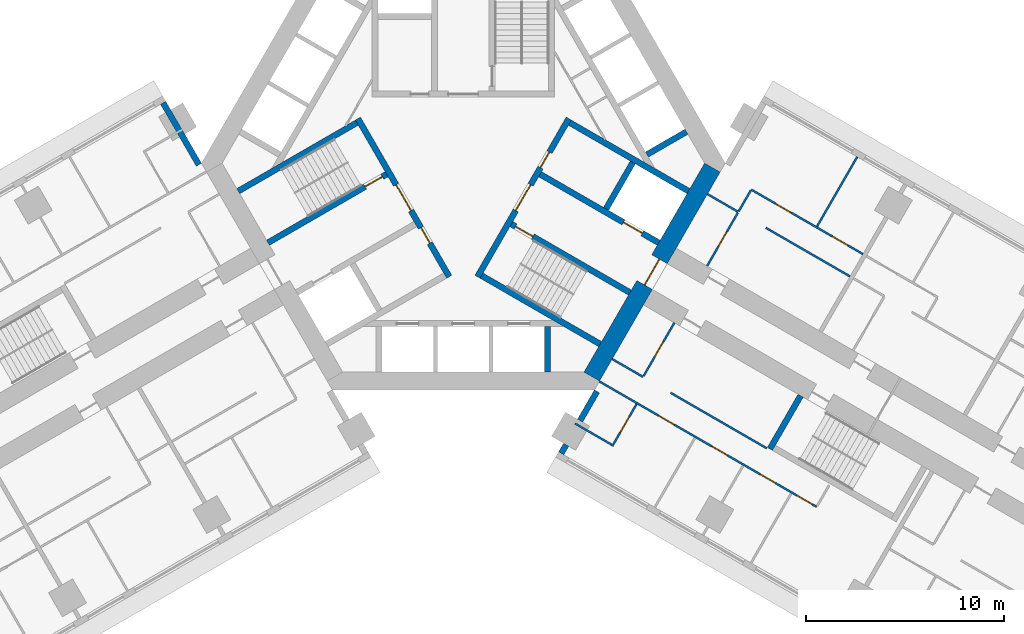
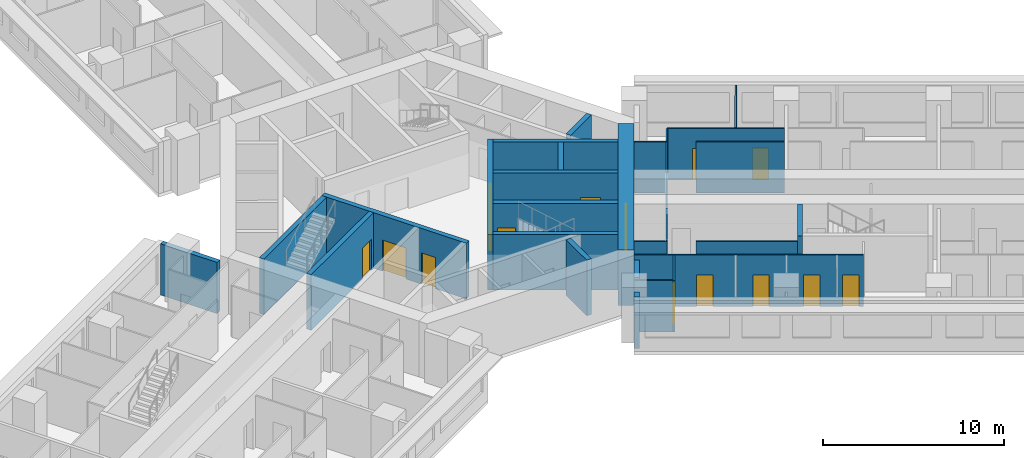
# One storey, part 6 of 14: 28 walls, 17 doors, 17 openings.
"""IFC4 building model written with IfcOpenShell, lengths in metres."""

import ifcopenshell
import ifcopenshell.guid

model = None  # the IFC model being written
_history = None  # IfcOwnerHistory: only IFC2X3 demands one
_inside = {}  # id of a spatial element -> (the spatial element, [elements in it])
_under = {}  # id of a project, library or spatial element -> (it, [spatial elements below it])
_declared = {}  # id of a project -> (the project, [libraries it declares])
_typed = {}  # id of a type object -> (the type object, [elements of that type])
_made_of = {}  # id of a material, layer set ... -> (it, [elements and type objects made of it])


def new_model(schema):
    """Start an empty IFC model of exactly this schema.

    Asked for "IFC4X3", IfcOpenShell would pick the latest addendum, in which some entities
    have other attributes; the version numbers below select the first issue.
    IFC2X3 requires an IfcOwnerHistory on every rooted entity: one is made here for all.
    """
    global model, _history
    if schema == "IFC4X3":
        model = ifcopenshell.file(schema_version=(4, 3, 0, 0))
    else:
        model = ifcopenshell.file(schema=schema)
    _inside.clear()
    _under.clear()
    _declared.clear()
    _typed.clear()
    _made_of.clear()
    _history = None
    if model.schema == "IFC2X3":
        org = make("IfcOrganization", Name="unknown")
        user = make(
            "IfcPersonAndOrganization",
            ThePerson=make("IfcPerson", FamilyName="unknown"),
            TheOrganization=org,
        )
        app = make(
            "IfcApplication",
            ApplicationDeveloper=org,
            Version="unknown",
            ApplicationFullName="unknown",
            ApplicationIdentifier="unknown",
        )
        _history = make(
            "IfcOwnerHistory",
            OwningUser=user,
            OwningApplication=app,
            ChangeAction="ADDED",
            CreationDate=0,
        )
    return model


def make(cls, **values):
    """One entity of the class cls with the attributes given. An attribute that is None is left unset."""
    return model.create_entity(
        cls, **{name: value for name, value in values.items() if value is not None}
    )


def rooted(cls, **values):
    """An entity with a GlobalId (a new one), such as an element, a storey or a relation."""
    return make(cls, GlobalId=ifcopenshell.guid.new(), OwnerHistory=_history, **values)


def si_unit(unit_type, name, prefix=None):
    """IfcSIUnit, for example si_unit("LENGTHUNIT", "METRE", prefix="MILLI")."""
    return make("IfcSIUnit", UnitType=unit_type, Prefix=prefix, Name=name)


def assignment(units):
    """IfcUnitAssignment: the units of a project."""
    return None if units is None else make("IfcUnitAssignment", Units=units)


def point(xyz):
    """IfcCartesianPoint."""
    return None if xyz is None else make("IfcCartesianPoint", Coordinates=xyz)


def direction(xyz):
    """IfcDirection."""
    return None if xyz is None else make("IfcDirection", DirectionRatios=xyz)


def frame(location, z_axis=None, x_axis=None):
    """IfcAxis2Placement3D, a coordinate frame: its origin and axes. An axis left out is left unset."""
    return make(
        "IfcAxis2Placement3D",
        Location=point(location),
        Axis=direction(z_axis),
        RefDirection=direction(x_axis),
    )


def frame_2d(location, x_axis=None):
    """IfcAxis2Placement2D, a coordinate frame in the plane: its origin and x axis."""
    return make(
        "IfcAxis2Placement2D", Location=point(location), RefDirection=direction(x_axis)
    )


def origin():
    """The frame at (0, 0, 0) with its axes left unset."""
    return frame((0.0, 0.0, 0.0))


def place(relative_to, where):
    """IfcLocalPlacement: puts the frame where relative to a parent placement (None: the world)."""
    return make(
        "IfcLocalPlacement", PlacementRelTo=relative_to, RelativePlacement=where
    )


def context(
    kind, dimensions, precision=None, world=None, true_north=None, identifier=None
):
    """IfcGeometricRepresentationContext, for example the 3D "Model" context."""
    return make(
        "IfcGeometricRepresentationContext",
        ContextIdentifier=identifier,
        ContextType=kind,
        CoordinateSpaceDimension=dimensions,
        Precision=precision,
        WorldCoordinateSystem=world,
        TrueNorth=true_north,
    )


def subcontext(parent, identifier, kind, view, scale=None):
    """IfcGeometricRepresentationSubContext, for example "Body" below "Model"."""
    return make(
        "IfcGeometricRepresentationSubContext",
        ContextIdentifier=identifier,
        ContextType=kind,
        ParentContext=parent,
        TargetScale=scale,
        TargetView=view,
    )


def project(units=None, contexts=None):
    """IfcProject with its units and contexts."""
    return rooted(
        "IfcProject",
        Name="project",
        RepresentationContexts=contexts,
        UnitsInContext=assignment(units),
    )


def spatial(cls, under=None, at=None, **own):
    """A site, building, storey or space (cls), placed at a placement, below another one or the project."""
    s = rooted(cls, ObjectPlacement=at, **own)
    if under is not None:
        _under.setdefault(under.id(), (under, []))[1].append(s)
    return s


def profile(cls, at=None, kind="AREA", **sizes):
    """A parametric profile (cls). Its sizes go by their IFC names, for example OverallWidth=200.0."""
    return make(cls, ProfileType=kind, Position=at, **sizes)


def rectangle(**sizes):
    """IfcRectangleProfileDef."""
    return profile("IfcRectangleProfileDef", **sizes)


def extrude(swept, where, along, depth):
    """IfcExtrudedAreaSolid: the profile swept, set in the frame where, extruded along a direction by depth."""
    return make(
        "IfcExtrudedAreaSolid",
        SweptArea=swept,
        Position=where,
        ExtrudedDirection=direction(along),
        Depth=depth,
    )


def shape(context_of_items, identifier, shape_type, items):
    """IfcShapeRepresentation: the items that make up one representation, for example the "Body"."""
    return make(
        "IfcShapeRepresentation",
        ContextOfItems=context_of_items,
        RepresentationIdentifier=identifier,
        RepresentationType=shape_type,
        Items=items,
    )


def material(Name=None, Category=None):
    """IfcMaterial."""
    return make("IfcMaterial", Name=Name, Category=Category)


def layer(
    of_material, thickness, ventilated=None, Name=None, Category=None, Priority=None
):
    """IfcMaterialLayer: one layer of a wall or slab, of a material (None: an air gap)."""
    return make(
        "IfcMaterialLayer",
        Material=of_material,
        LayerThickness=thickness,
        IsVentilated=ventilated,
        Name=Name,
        Category=Category,
        Priority=Priority,
    )


def layer_set(layers, Name=None):
    """IfcMaterialLayerSet."""
    return make("IfcMaterialLayerSet", MaterialLayers=layers, LayerSetName=Name)


def made_of(thing, what):
    """Note that an element or type object is made of a material, layer set ...; save() writes the relation."""
    if what is not None:
        _made_of.setdefault(what.id(), (what, []))[1].append(thing)
    return thing


def type_object(cls, material=None, **own):
    """A type object (cls), such as IfcWallType, which elements share."""
    return made_of(rooted(cls, **own), material)


def element(
    cls,
    number,
    at=None,
    inside=None,
    cuts=None,
    type_object=None,
    material=None,
    context=None,
    identifier="Body",
    shape_type=None,
    held_by="IfcProductDefinitionShape",
    body=None,
    shapes=None,
    **own,
):
    """One element of the class cls, such as IfcWall. Its Tag is "e" and its number.

    at: its placement. inside: the storey or other place that contains it. cuts: it is an
    opening in that element (IfcRelVoidsElement). A single representation is given by context,
    identifier, shape_type and body (its items); several are given by shapes. held_by: the class
    of the entity that holds the representations. save() writes the other relations.
    """
    e = rooted(cls, Tag="e%d" % number, ObjectPlacement=at, **own)
    if body is not None:
        shapes = [shape(context, identifier, shape_type, body)]
    if shapes is not None:
        e.Representation = make(held_by, Representations=shapes)
    if inside is not None:
        _inside.setdefault(inside.id(), (inside, []))[1].append(e)
    if cuts is not None:
        rooted(
            "IfcRelVoidsElement", RelatingBuildingElement=cuts, RelatedOpeningElement=e
        )
    if type_object is not None:
        _typed.setdefault(type_object.id(), (type_object, []))[1].append(e)
    return made_of(e, material)


def fill(opening, filler):
    """IfcRelFillsElement: the door or window that sits in an opening."""
    return rooted(
        "IfcRelFillsElement",
        RelatingOpeningElement=opening,
        RelatedBuildingElement=filler,
    )


def aggregate(whole, parts):
    """IfcRelAggregates: a whole, such as a stair, and the parts it consists of."""
    return rooted("IfcRelAggregates", RelatingObject=whole, RelatedObjects=parts)


def save(model, path):
    """Write the relations noted so far, then the file.

    IfcRelAggregates (storeys below a building ...), IfcRelContainedInSpatialStructure (elements
    in a storey), IfcRelDefinesByType, IfcRelAssociatesMaterial and IfcRelDeclares: one each for
    every whole, place, type object, material and project.
    """
    for whole, parts in _under.values():
        aggregate(whole, parts)
    for where, things in _inside.values():
        rooted(
            "IfcRelContainedInSpatialStructure",
            RelatedElements=things,
            RelatingStructure=where,
        )
    for kind, things in _typed.values():
        rooted("IfcRelDefinesByType", RelatedObjects=things, RelatingType=kind)
    for what, things in _made_of.values():
        rooted("IfcRelAssociatesMaterial", RelatedObjects=things, RelatingMaterial=what)
    for by, libraries in _declared.values():
        rooted("IfcRelDeclares", RelatingContext=by, RelatedDefinitions=libraries)
    model.write(path)


model = new_model("IFC4")

# Units and contexts
model_context = context("Model", 3, precision=1e-05, world=origin(), true_north=direction((0.0, 1.0)))
body_context = subcontext(model_context, "Body", "Model", "MODEL_VIEW")
ifc_project = project(units=[si_unit("LENGTHUNIT", "METRE"), si_unit("AREAUNIT", "SQUARE_METRE"), si_unit("VOLUMEUNIT", "CUBIC_METRE"), si_unit("PLANEANGLEUNIT", "RADIAN"), si_unit("MASSUNIT", "GRAM", prefix="KILO")], contexts=[model_context])

# Site, building, storey
site_placement = place(None, origin())
site = spatial("IfcSite", under=ifc_project, at=site_placement, CompositionType="ELEMENT")
building_placement = place(site_placement, origin())
building = spatial("IfcBuilding", under=site, at=building_placement, Name="Impinga Residences", CompositionType="ELEMENT")
storey_placement = place(building_placement, frame((0.0, 0.0, 89.75)))
storey = spatial("IfcBuildingStorey", under=building, at=storey_placement, Name="L22", CompositionType="ELEMENT", Elevation=89.75)

# Walls
ifc_material_1 = material(Name="Terracotta rainscreen on blockwork", Category="masonry")
ifc_layer_1 = layer(ifc_material_1, 0.300048828125)
ifc_layer_set_1 = layer_set([ifc_layer_1], Name="EW1 external wall, terracotta rainscreen on blockwork 300")
wall_type_1 = type_object("IfcWallType", Name="EW1 external wall, terracotta rainscreen on blockwork 300", PredefinedType="SOLIDWALL", material=ifc_layer_set_1)
wall_1_placement = place(storey_placement, frame((-15.1298828125, 3.042724609375, 0.0), z_axis=(0.0, 0.0, 1.0), x_axis=(0.500012057535, -0.866018442252, 0.0)))
element("IfcWall", 1, at=wall_1_placement, inside=storey, type_object=wall_type_1, Name="External wall EW1 L22", PredefinedType="SOLIDWALL", context=body_context, shape_type="SweptSolid", body=[
    extrude(rectangle(XDim=3.60009765625, YDim=0.300048828125, at=frame_2d((1.800048828125, 0.0))), origin(), (0.0, 0.0, 1.0), 3.449951171875),
])
wall_2_placement = place(storey_placement, frame((4.929931640625, -14.624267578125, 0.0), z_axis=(0.0, 0.0, 1.0), x_axis=(0.499919672301, 0.866071776036, 0.0)))
element("IfcWall", 2, at=wall_2_placement, inside=storey, type_object=wall_type_1, Name="External wall EW1 L22", PredefinedType="SOLIDWALL", context=body_context, shape_type="SweptSolid", body=[
    extrude(rectangle(XDim=0.5, YDim=0.300048828125, at=frame_2d((0.25, 0.0))), origin(), (0.0, 0.0, 1.0), 3.449951171875),
])
wall_3_placement = place(storey_placement, frame((5.8798828125, -12.978759765625, 0.0), z_axis=(0.0, 0.0, 1.0), x_axis=(0.500062241894, 0.865989465428, 0.0)))
element("IfcWall", 3, at=wall_3_placement, inside=storey, type_object=wall_type_1, Name="External wall EW1 L22", PredefinedType="SOLIDWALL", context=body_context, shape_type="SweptSolid", body=[
    extrude(rectangle(XDim=1.699951171875, YDim=0.300048828125, at=frame_2d((0.85009765625, 0.0))), origin(), (0.0, 0.0, 1.0), 3.449951171875),
])
ifc_material_2 = material(Name="Gypsum board on steel studs", Category="steel")
ifc_layer_2 = layer(ifc_material_2, 0.10009765625)
ifc_layer_set_2 = layer_set([ifc_layer_2], Name="Gypsum board on steel studs")
wall_type_2 = type_object("IfcWallType", Name="IP1 partition 100", PredefinedType="PARTITIONING", material=ifc_layer_set_2)
wall_4_placement = place(storey_placement, frame((12.300048828125, -1.558837890625, 0.0), z_axis=(0.0, 0.0, 1.0), x_axis=(0.866047807691, -0.499961193289, 0.0)))
element("IfcWall", 4, at=wall_4_placement, inside=storey, type_object=wall_type_2, Name="Partition L22-EA1:DIV0", PredefinedType="PARTITIONING", context=body_context, shape_type="SweptSolid", body=[
    extrude(rectangle(XDim=1.800048828125, YDim=0.10009765625, at=frame_2d((0.89990234375, 0.0))), origin(), (0.0, 0.0, 1.0), 3.449951171875),
])
wall_5_placement = place(storey_placement, frame((15.244384765625, -3.2587890625, 0.0), z_axis=(0.0, 0.0, 1.0), x_axis=(0.866036242063, -0.49998122708, 0.0)))
element("IfcWall", 5, at=wall_5_placement, inside=storey, type_object=wall_type_2, Name="Partition L22-EA1:DIV1", PredefinedType="PARTITIONING", context=body_context, shape_type="SweptSolid", body=[
    extrude(rectangle(XDim=4.900146484375, YDim=0.10009765625, at=frame_2d((2.4501953125, 0.0))), origin(), (0.0, 0.0, 1.0), 3.449951171875),
])

# Wall, openings, doors
wall_6_placement = place(storey_placement, frame((14.5087890625, -1.3330078125, 0.0), z_axis=(0.0, 0.0, 1.0), x_axis=(0.866024837091, -0.50000098154, 0.0)))
wall_6 = element("IfcWall", 6, at=wall_6_placement, inside=storey, type_object=wall_type_2, Name="Partition L22-EA1:STRIP", PredefinedType="PARTITIONING", context=body_context, shape_type="SweptSolid", body=[
    extrude(rectangle(XDim=6.5, YDim=0.10009765625, at=frame_2d((3.25, 0.0))), origin(), (0.0, 0.0, 1.0), 3.449951171875),
])
opening_1_placement = place(wall_6_placement, frame((1.425048828125, 0.0, 0.0)))
opening_1 = element("IfcOpeningElement", 7, at=opening_1_placement, cuts=wall_6, Name="Opening D2", PredefinedType="OPENING", context=body_context, shape_type="SweptSolid", body=[
    extrude(rectangle(XDim=0.89990234375, YDim=2.10009765625, at=frame_2d((0.449951171875, 1.050048828125))), frame((0.0, 0.06005859375, 0.0), z_axis=(0.0, -1.0, 0.0), x_axis=(1.0, 0.0, 0.0)), (0.0, 0.0, 1.0), 0.1201171875),
])
opening_2_placement = place(wall_6_placement, frame((4.72509765625, 0.0, 0.0)))
opening_2 = element("IfcOpeningElement", 8, at=opening_2_placement, cuts=wall_6, Name="Opening D2", PredefinedType="OPENING", context=body_context, shape_type="SweptSolid", body=[
    extrude(rectangle(XDim=0.89990234375, YDim=2.10009765625, at=frame_2d((0.449951171875, 1.050048828125))), frame((0.0, 0.06005859375, 0.0), z_axis=(0.0, -1.0, 0.0), x_axis=(1.0, 0.0, 0.0)), (0.0, 0.0, 1.0), 0.1201171875),
])
ifc_material_3 = material(Name="Timber door set", Category="wood")
door_type_1 = type_object("IfcDoorType", Name="D2 internal door 900x2100", OperationType="SINGLE_SWING_LEFT", PredefinedType="DOOR", material=ifc_material_3)
door_1_placement = place(opening_1_placement, origin())
door_1 = element("IfcDoor", 9, at=door_1_placement, inside=storey, type_object=door_type_1, Name="Apartment L22-EA1 room door", OperationType="SINGLE_SWING_LEFT", OverallHeight=2.10009765625, OverallWidth=0.89990234375, PredefinedType="DOOR", context=body_context, shape_type="SweptSolid", body=[
    extrude(rectangle(XDim=0.89990234375, YDim=2.10009765625, at=frame_2d((0.449951171875, 1.050048828125))), frame((0.0, 0.02490234375, 0.0), z_axis=(0.0, -1.0, 0.0), x_axis=(1.0, 0.0, 0.0)), (0.0, 0.0, 1.0), 0.050048828125),
])
fill(opening_1, door_1)
door_2_placement = place(opening_2_placement, origin())
door_2 = element("IfcDoor", 10, at=door_2_placement, inside=storey, type_object=door_type_1, Name="Apartment L22-EA1 room door", OperationType="SINGLE_SWING_RIGHT", OverallHeight=2.10009765625, OverallWidth=0.89990234375, PredefinedType="DOOR", context=body_context, shape_type="SweptSolid", body=[
    extrude(rectangle(XDim=0.89990234375, YDim=2.10009765625, at=frame_2d((0.449951171875, 1.050048828125))), frame((0.0, 0.02490234375, 0.0), z_axis=(0.0, -1.0, 0.0), x_axis=(1.0, 0.0, 0.0)), (0.0, 0.0, 1.0), 0.050048828125),
])
fill(opening_2, door_2)

# Wall
wall_7_placement = place(storey_placement, frame((13.8837890625, -2.41552734375, 0.0), z_axis=(0.0, 0.0, 1.0), x_axis=(0.500033551112, 0.866006032174, 0.0)))
element("IfcWall", 11, at=wall_7_placement, inside=storey, type_object=wall_type_2, Name="Partition L22-EA1:SE0", PredefinedType="PARTITIONING", context=body_context, shape_type="SweptSolid", body=[
    extrude(rectangle(XDim=1.2001953125, YDim=0.10009765625, at=frame_2d((0.60009765625, 0.0))), origin(), (0.0, 0.0, 1.0), 3.449951171875),
])

# Wall, opening, door
wall_8_placement = place(storey_placement, frame((12.283935546875, -5.186767578125, 0.0), z_axis=(0.0, 0.0, 1.0), x_axis=(0.499967891604, 0.866043940782, 0.0)))
wall_8 = element("IfcWall", 12, at=wall_8_placement, inside=storey, type_object=wall_type_2, Name="Partition L22-EA1:IB1", PredefinedType="PARTITIONING", context=body_context, shape_type="SweptSolid", body=[
    extrude(rectangle(XDim=3.099853515625, YDim=0.10009765625, at=frame_2d((1.5498046875, 0.0))), origin(), (0.0, 0.0, 1.0), 3.449951171875),
])
opening_3_placement = place(wall_8_placement, frame((1.10009765625, 0.0, 0.0)))
opening_3 = element("IfcOpeningElement", 13, at=opening_3_placement, cuts=wall_8, Name="Opening D2", PredefinedType="OPENING", context=body_context, shape_type="SweptSolid", body=[
    extrude(rectangle(XDim=0.89990234375, YDim=2.10009765625, at=frame_2d((0.449951171875, 1.050048828125))), frame((0.0, 0.06005859375, 0.0), z_axis=(0.0, -1.0, 0.0), x_axis=(1.0, 0.0, 0.0)), (0.0, 0.0, 1.0), 0.1201171875),
])
door_3_placement = place(opening_3_placement, origin())
door_3 = element("IfcDoor", 14, at=door_3_placement, inside=storey, type_object=door_type_1, Name="Apartment L22-EA1 bathroom door", OperationType="SINGLE_SWING_LEFT", OverallHeight=2.10009765625, OverallWidth=0.89990234375, PredefinedType="DOOR", context=body_context, shape_type="SweptSolid", body=[
    extrude(rectangle(XDim=0.89990234375, YDim=2.10009765625, at=frame_2d((0.449951171875, 1.050048828125))), frame((0.0, 0.02490234375, 0.0), z_axis=(0.0, -1.0, 0.0), x_axis=(1.0, 0.0, 0.0)), (0.0, 0.0, 1.0), 0.050048828125),
])
fill(opening_3, door_3)

# Walls
wall_9_placement = place(storey_placement, frame((17.82470703125, -3.189697265625, 0.0), z_axis=(0.0, 0.0, 1.0), x_axis=(0.500035537042, 0.866004885491, 0.0)))
element("IfcWall", 15, at=wall_9_placement, inside=storey, type_object=wall_type_2, Name="Partition L22-EA1:OB1", PredefinedType="PARTITIONING", context=body_context, shape_type="SweptSolid", body=[
    extrude(rectangle(XDim=4.050048828125, YDim=0.10009765625, at=frame_2d((2.02490234375, 0.0))), origin(), (0.0, 0.0, 1.0), 3.449951171875),
])
wall_10_placement = place(storey_placement, frame((7.5, -9.872802734375, 0.0), z_axis=(0.0, 0.0, 1.0), x_axis=(0.866047807691, -0.499961193289, 0.0)))
element("IfcWall", 16, at=wall_10_placement, inside=storey, type_object=wall_type_2, Name="Partition L22-EF1:DIV0", PredefinedType="PARTITIONING", context=body_context, shape_type="SweptSolid", body=[
    extrude(rectangle(XDim=1.800048828125, YDim=0.10009765625, at=frame_2d((0.89990234375, 0.0))), origin(), (0.0, 0.0, 1.0), 3.449951171875),
])
wall_11_placement = place(storey_placement, frame((10.444580078125, -11.57275390625, 0.0), z_axis=(0.0, 0.0, 1.0), x_axis=(0.866015695474, -0.500016814911, 0.0)))
element("IfcWall", 17, at=wall_11_placement, inside=storey, type_object=wall_type_2, Name="Partition L22-EF1:DIV1", PredefinedType="PARTITIONING", context=body_context, shape_type="SweptSolid", body=[
    extrude(rectangle(XDim=5.599853515625, YDim=0.10009765625, at=frame_2d((2.7998046875, 0.0))), origin(), (0.0, 0.0, 1.0), 3.449951171875),
])

# Wall, openings, doors
wall_12_placement = place(storey_placement, frame((6.85009765625, -10.99853515625, 0.0), z_axis=(0.0, 0.0, 1.0), x_axis=(0.866024244478, -0.500002007972, 0.0)))
wall_12 = element("IfcWall", 18, at=wall_12_placement, inside=storey, type_object=wall_type_2, Name="Partition L22-EF1:STRIP", PredefinedType="PARTITIONING", context=body_context, shape_type="SweptSolid", body=[
    extrude(rectangle(XDim=12.64990234375, YDim=0.10009765625, at=frame_2d((6.324951171875, 0.0))), origin(), (0.0, 0.0, 1.0), 3.449951171875),
])
opening_4_placement = place(wall_12_placement, frame((3.449951171875, 0.0, 0.0)))
opening_4 = element("IfcOpeningElement", 19, at=opening_4_placement, cuts=wall_12, Name="Opening D2", PredefinedType="OPENING", context=body_context, shape_type="SweptSolid", body=[
    extrude(rectangle(XDim=0.89990234375, YDim=2.10009765625, at=frame_2d((0.449951171875, 1.050048828125))), frame((0.0, 0.06005859375, 0.0), z_axis=(0.0, -1.0, 0.0), x_axis=(1.0, 0.0, 0.0)), (0.0, 0.0, 1.0), 0.1201171875),
])
opening_5_placement = place(wall_12_placement, frame((6.550048828125, 0.0, 0.0)))
opening_5 = element("IfcOpeningElement", 20, at=opening_5_placement, cuts=wall_12, Name="Opening D2", PredefinedType="OPENING", context=body_context, shape_type="SweptSolid", body=[
    extrude(rectangle(XDim=0.89990234375, YDim=2.10009765625, at=frame_2d((0.449951171875, 1.050048828125))), frame((0.0, 0.06005859375, 0.0), z_axis=(0.0, -1.0, 0.0), x_axis=(1.0, 0.0, 0.0)), (0.0, 0.0, 1.0), 0.1201171875),
])
opening_6_placement = place(wall_12_placement, frame((9.35009765625, 0.0, 0.0)))
opening_6 = element("IfcOpeningElement", 21, at=opening_6_placement, cuts=wall_12, Name="Opening D2", PredefinedType="OPENING", context=body_context, shape_type="SweptSolid", body=[
    extrude(rectangle(XDim=0.89990234375, YDim=2.10009765625, at=frame_2d((0.449951171875, 1.050048828125))), frame((0.0, 0.06005859375, 0.0), z_axis=(0.0, -1.0, 0.0), x_axis=(1.0, 0.0, 0.0)), (0.0, 0.0, 1.0), 0.1201171875),
])
opening_7_placement = place(wall_12_placement, frame((11.5, 0.0, 0.0)))
opening_7 = element("IfcOpeningElement", 22, at=opening_7_placement, cuts=wall_12, Name="Opening D2", PredefinedType="OPENING", context=body_context, shape_type="SweptSolid", body=[
    extrude(rectangle(XDim=0.89990234375, YDim=2.10009765625, at=frame_2d((0.449951171875, 1.050048828125))), frame((0.0, 0.06005859375, 0.0), z_axis=(0.0, -1.0, 0.0), x_axis=(1.0, 0.0, 0.0)), (0.0, 0.0, 1.0), 0.1201171875),
])
door_4_placement = place(opening_4_placement, origin())
door_4 = element("IfcDoor", 23, at=door_4_placement, inside=storey, type_object=door_type_1, Name="Apartment L22-EF1 room door", OperationType="SINGLE_SWING_LEFT", OverallHeight=2.10009765625, OverallWidth=0.89990234375, PredefinedType="DOOR", context=body_context, shape_type="SweptSolid", body=[
    extrude(rectangle(XDim=0.89990234375, YDim=2.10009765625, at=frame_2d((0.449951171875, 1.050048828125))), frame((0.0, 0.02490234375, 0.0), z_axis=(0.0, -1.0, 0.0), x_axis=(1.0, 0.0, 0.0)), (0.0, 0.0, 1.0), 0.050048828125),
])
fill(opening_4, door_4)
door_5_placement = place(opening_5_placement, origin())
door_5 = element("IfcDoor", 24, at=door_5_placement, inside=storey, type_object=door_type_1, Name="Apartment L22-EF1 room door", OperationType="SINGLE_SWING_RIGHT", OverallHeight=2.10009765625, OverallWidth=0.89990234375, PredefinedType="DOOR", context=body_context, shape_type="SweptSolid", body=[
    extrude(rectangle(XDim=0.89990234375, YDim=2.10009765625, at=frame_2d((0.449951171875, 1.050048828125))), frame((0.0, 0.02490234375, 0.0), z_axis=(0.0, -1.0, 0.0), x_axis=(1.0, 0.0, 0.0)), (0.0, 0.0, 1.0), 0.050048828125),
])
fill(opening_5, door_5)
door_6_placement = place(opening_6_placement, origin())
door_6 = element("IfcDoor", 25, at=door_6_placement, inside=storey, type_object=door_type_1, Name="Apartment L22-EF1 room door", OperationType="SINGLE_SWING_RIGHT", OverallHeight=2.10009765625, OverallWidth=0.89990234375, PredefinedType="DOOR", context=body_context, shape_type="SweptSolid", body=[
    extrude(rectangle(XDim=0.89990234375, YDim=2.10009765625, at=frame_2d((0.449951171875, 1.050048828125))), frame((0.0, 0.02490234375, 0.0), z_axis=(0.0, -1.0, 0.0), x_axis=(1.0, 0.0, 0.0)), (0.0, 0.0, 1.0), 0.050048828125),
])
fill(opening_6, door_6)
door_7_placement = place(opening_7_placement, origin())
door_7 = element("IfcDoor", 26, at=door_7_placement, inside=storey, type_object=door_type_1, Name="Apartment L22-EF1 room door", OperationType="SINGLE_SWING_RIGHT", OverallHeight=2.10009765625, OverallWidth=0.89990234375, PredefinedType="DOOR", context=body_context, shape_type="SweptSolid", body=[
    extrude(rectangle(XDim=0.89990234375, YDim=2.10009765625, at=frame_2d((0.449951171875, 1.050048828125))), frame((0.0, 0.02490234375, 0.0), z_axis=(0.0, -1.0, 0.0), x_axis=(1.0, 0.0, 0.0)), (0.0, 0.0, 1.0), 0.050048828125),
])
fill(opening_7, door_7)

# Wall, opening, door
wall_13_placement = place(storey_placement, frame((10.6337890625, -8.044677734375, 0.0), z_axis=(0.0, 0.0, 1.0), x_axis=(-0.49999285859, -0.86602952684, 0.0)))
wall_13 = element("IfcWall", 27, at=wall_13_placement, inside=storey, type_object=wall_type_2, Name="Partition L22-EF1:IB1", PredefinedType="PARTITIONING", context=body_context, shape_type="SweptSolid", body=[
    extrude(rectangle(XDim=3.10009765625, YDim=0.10009765625, at=frame_2d((1.550048828125, 0.0))), origin(), (0.0, 0.0, 1.0), 3.449951171875),
])
opening_8_placement = place(wall_13_placement, frame((1.10009765625, 0.0, 0.0)))
opening_8 = element("IfcOpeningElement", 28, at=opening_8_placement, cuts=wall_13, Name="Opening D2", PredefinedType="OPENING", context=body_context, shape_type="SweptSolid", body=[
    extrude(rectangle(XDim=0.89990234375, YDim=2.10009765625, at=frame_2d((0.449951171875, 1.050048828125))), frame((0.0, 0.06005859375, 0.0), z_axis=(0.0, -1.0, 0.0), x_axis=(1.0, 0.0, 0.0)), (0.0, 0.0, 1.0), 0.1201171875),
])
door_8_placement = place(opening_8_placement, origin())
door_8 = element("IfcDoor", 29, at=door_8_placement, inside=storey, type_object=door_type_1, Name="Apartment L22-EF1 bathroom door", OperationType="SINGLE_SWING_LEFT", OverallHeight=2.10009765625, OverallWidth=0.89990234375, PredefinedType="DOOR", context=body_context, shape_type="SweptSolid", body=[
    extrude(rectangle(XDim=0.89990234375, YDim=2.10009765625, at=frame_2d((0.449951171875, 1.050048828125))), frame((0.0, 0.02490234375, 0.0), z_axis=(0.0, -1.0, 0.0), x_axis=(1.0, 0.0, 0.0)), (0.0, 0.0, 1.0), 0.050048828125),
])
fill(opening_8, door_8)

wall_14_placement = place(storey_placement, frame((8.730224609375, -12.141845703125, 0.0), z_axis=(0.0, 0.0, 1.0), x_axis=(-0.499943856944, -0.866057815567, 0.0)))
wall_14 = element("IfcWall", 30, at=wall_14_placement, inside=storey, type_object=wall_type_2, Name="Partition L22-EF1:EN1", PredefinedType="PARTITIONING", context=body_context, shape_type="SweptSolid", body=[
    extrude(rectangle(XDim=2.449951171875, YDim=0.10009765625, at=frame_2d((1.22509765625, 0.0))), origin(), (0.0, 0.0, 1.0), 3.449951171875),
])
opening_9_placement = place(wall_14_placement, frame((0.75, 0.0, 0.0)))
opening_9 = element("IfcOpeningElement", 31, at=opening_9_placement, cuts=wall_14, Name="Opening D2", PredefinedType="OPENING", context=body_context, shape_type="SweptSolid", body=[
    extrude(rectangle(XDim=0.89990234375, YDim=2.10009765625, at=frame_2d((0.449951171875, 1.050048828125))), frame((0.0, 0.06005859375, 0.0), z_axis=(0.0, -1.0, 0.0), x_axis=(1.0, 0.0, 0.0)), (0.0, 0.0, 1.0), 0.1201171875),
])
door_9_placement = place(opening_9_placement, origin())
door_9 = element("IfcDoor", 32, at=door_9_placement, inside=storey, type_object=door_type_1, Name="Apartment L22-EF1 en-suite door", OperationType="SINGLE_SWING_LEFT", OverallHeight=2.10009765625, OverallWidth=0.89990234375, PredefinedType="DOOR", context=body_context, shape_type="SweptSolid", body=[
    extrude(rectangle(XDim=0.89990234375, YDim=2.10009765625, at=frame_2d((0.449951171875, 1.050048828125))), frame((0.0, 0.02490234375, 0.0), z_axis=(0.0, -1.0, 0.0), x_axis=(1.0, 0.0, 0.0)), (0.0, 0.0, 1.0), 0.050048828125),
])
fill(opening_9, door_9)

# Walls
wall_15_placement = place(storey_placement, frame((5.625, -13.120361328125, 0.0), z_axis=(0.0, 0.0, 1.0), x_axis=(0.866047553582, -0.499961633463, 0.0)))
element("IfcWall", 33, at=wall_15_placement, inside=storey, type_object=wall_type_2, Name="Partition L22-EF1:EN2", PredefinedType="PARTITIONING", context=body_context, shape_type="SweptSolid", body=[
    extrude(rectangle(XDim=2.150146484375, YDim=0.10009765625, at=frame_2d((1.0751953125, 0.0))), origin(), (0.0, 0.0, 1.0), 3.449951171875),
])
ifc_material_4 = material(Name="Concrete C60/75", Category="concrete")
ifc_layer_3 = layer(ifc_material_4, 0.300048828125)
ifc_layer_set_3 = layer_set([ifc_layer_3], Name="Concrete C60/75")
wall_type_3 = type_object("IfcWallType", Name="SE1 wing stair enclosure wall 300", PredefinedType="SOLIDWALL", material=ifc_layer_set_3)
wall_16_placement = place(storey_placement, frame((16.9990234375, -11.7197265625, 0.0), z_axis=(0.0, 0.0, 1.0), x_axis=(-0.499967891604, -0.866043940782, 0.0)))
element("IfcWall", 34, at=wall_16_placement, inside=storey, type_object=wall_type_3, Name="Stair enclosure wall SE1 E END0 L22", PredefinedType="SOLIDWALL", context=body_context, shape_type="SweptSolid", body=[
    extrude(rectangle(XDim=3.099853515625, YDim=0.300048828125, at=frame_2d((1.5498046875, 0.0))), origin(), (0.0, 0.0, 1.0), 3.75),
])

# Wall, opening, door
ifc_material_5 = material(Name="Concrete C70/85", Category="concrete")
ifc_layer_4 = layer(ifc_material_5, 0.89990234375)
ifc_layer_set_4 = layer_set([ifc_layer_4], Name="Concrete C70/85")
wall_type_4 = type_object("IfcWallType", Name="SW1 core wall 900", PredefinedType="SHEAR", material=ifc_layer_set_4)
wall_17_placement = place(storey_placement, frame((12.550537109375, -0.22509765625, 0.0), z_axis=(0.0, 0.0, 1.0), x_axis=(-0.499997612506, -0.8660267822, 0.0)))
wall_17 = element("IfcWall", 35, at=wall_17_placement, inside=storey, type_object=wall_type_4, Name="Core wall SW1 E:FACE L22", PredefinedType="SHEAR", context=body_context, shape_type="SweptSolid", body=[
    extrude(rectangle(XDim=12.16064453125, YDim=0.89990234375, at=frame_2d((6.080322265625, 0.0))), origin(), (0.0, 0.0, 1.0), 3.75),
])
opening_10_placement = place(wall_17_placement, frame((5.330322265625, 0.0, 0.0)))
opening_10 = element("IfcOpeningElement", 36, at=opening_10_placement, cuts=wall_17, Name="Opening D4", PredefinedType="OPENING", context=body_context, shape_type="SweptSolid", body=[
    extrude(rectangle(XDim=1.5, YDim=2.10009765625, at=frame_2d((0.75, 1.050048828125))), frame((0.0, 0.4599609375, 0.0), z_axis=(0.0, -1.0, 0.0), x_axis=(1.0, 0.0, 0.0)), (0.0, 0.0, 1.0), 0.919921875),
])
door_type_2 = type_object("IfcDoorType", Name="D4 lobby door pair 1500x2100", OperationType="DOUBLE_DOOR_DOUBLE_SWING", PredefinedType="DOOR", material=ifc_material_3)
door_10_placement = place(opening_10_placement, origin())
door_10 = element("IfcDoor", 37, at=door_10_placement, inside=storey, type_object=door_type_2, Name="Lobby door E", OperationType="DOUBLE_DOOR_DOUBLE_SWING", OverallHeight=2.10009765625, OverallWidth=1.5, PredefinedType="DOOR", context=body_context, shape_type="SweptSolid", body=[
    extrude(rectangle(XDim=1.5, YDim=2.10009765625, at=frame_2d((0.75, 1.050048828125))), frame((0.0, 0.02490234375, 0.0), z_axis=(0.0, -1.0, 0.0), x_axis=(1.0, 0.0, 0.0)), (0.0, 0.0, 1.0), 0.050048828125),
])
fill(opening_10, door_10)

# Wall, openings, doors
ifc_layer_5 = layer(ifc_material_5, 0.300048828125)
ifc_layer_set_5 = layer_set([ifc_layer_5], Name="Concrete C70/85")
wall_type_5 = type_object("IfcWallType", Name="SW5 core inner wall, stairs, shafts and lobbies 300", PredefinedType="SHEAR", material=ifc_layer_set_5)
wall_18_placement = place(storey_placement, frame((-0.7138671875, -5.7236328125, 0.0), z_axis=(0.0, 0.0, 1.0), x_axis=(-0.499995050369, 0.866028261437, 0.0)))
wall_18 = element("IfcWall", 38, at=wall_18_placement, inside=storey, type_object=wall_type_5, Name="Core wall SW5 W:ZONE L22", PredefinedType="SHEAR", context=body_context, shape_type="SweptSolid", body=[
    extrude(rectangle(XDim=9.19970703125, YDim=0.300048828125, at=frame_2d((4.599853515625, 0.0))), origin(), (0.0, 0.0, 1.0), 3.75),
])
opening_11_placement = place(wall_18_placement, frame((3.85009765625, 0.0, 0.0)))
opening_11 = element("IfcOpeningElement", 39, at=opening_11_placement, cuts=wall_18, Name="Opening D4", PredefinedType="OPENING", context=body_context, shape_type="SweptSolid", body=[
    extrude(rectangle(XDim=1.5, YDim=2.10009765625, at=frame_2d((0.75, 1.050048828125))), frame((0.0, 0.159912109375, 0.0), z_axis=(0.0, -1.0, 0.0), x_axis=(1.0, 0.0, 0.0)), (0.0, 0.0, 1.0), 0.320068359375),
])
opening_12_placement = place(wall_18_placement, frame((1.949951171875, 0.0, 0.0)))
opening_12 = element("IfcOpeningElement", 40, at=opening_12_placement, cuts=wall_18, Name="Opening D6", PredefinedType="OPENING", context=body_context, shape_type="SweptSolid", body=[
    extrude(rectangle(XDim=0.89990234375, YDim=2.10009765625, at=frame_2d((0.449951171875, 1.050048828125))), frame((0.0, 0.159912109375, 0.0), z_axis=(0.0, -1.0, 0.0), x_axis=(1.0, 0.0, 0.0)), (0.0, 0.0, 1.0), 0.320068359375),
])
door_11_placement = place(opening_11_placement, origin())
door_11 = element("IfcDoor", 41, at=door_11_placement, inside=storey, type_object=door_type_2, Name="Firefighting lobby door W", OperationType="DOUBLE_DOOR_DOUBLE_SWING", OverallHeight=2.10009765625, OverallWidth=1.5, PredefinedType="DOOR", context=body_context, shape_type="SweptSolid", body=[
    extrude(rectangle(XDim=1.5, YDim=2.10009765625, at=frame_2d((0.75, 1.050048828125))), frame((0.0, 0.02490234375, 0.0), z_axis=(0.0, -1.0, 0.0), x_axis=(1.0, 0.0, 0.0)), (0.0, 0.0, 1.0), 0.050048828125),
])
fill(opening_11, door_11)
door_type_3 = type_object("IfcDoorType", Name="D6 riser and store door 900x2100", OperationType="SINGLE_SWING_LEFT", PredefinedType="DOOR", material=ifc_material_3)
door_12_placement = place(opening_12_placement, origin())
door_12 = element("IfcDoor", 42, at=door_12_placement, inside=storey, type_object=door_type_3, Name="Riser door W", OperationType="SINGLE_SWING_LEFT", OverallHeight=2.10009765625, OverallWidth=0.89990234375, PredefinedType="DOOR", context=body_context, shape_type="SweptSolid", body=[
    extrude(rectangle(XDim=0.89990234375, YDim=2.10009765625, at=frame_2d((0.449951171875, 1.050048828125))), frame((0.0, 0.02490234375, 0.0), z_axis=(0.0, -1.0, 0.0), x_axis=(1.0, 0.0, 0.0)), (0.0, 0.0, 1.0), 0.050048828125),
])
fill(opening_12, door_12)

# Wall, opening, door
wall_19_placement = place(storey_placement, frame((-3.86865234375, -0.559326171875, 0.0), z_axis=(0.0, 0.0, 1.0), x_axis=(-0.86602711848, -0.499997030048, 0.0)))
wall_19 = element("IfcWall", 43, at=wall_19_placement, inside=storey, type_object=wall_type_5, Name="Core wall SW5 W:ST-IN L22", PredefinedType="SHEAR", context=body_context, shape_type="SweptSolid", body=[
    extrude(rectangle(XDim=6.9013671875, YDim=0.300048828125, at=frame_2d((3.45068359375, 0.0))), origin(), (0.0, 0.0, 1.0), 3.75),
])
opening_13_placement = place(wall_19_placement, frame((0.25, 0.0, 0.0)))
opening_13 = element("IfcOpeningElement", 44, at=opening_13_placement, cuts=wall_19, Name="Opening D5", PredefinedType="OPENING", context=body_context, shape_type="SweptSolid", body=[
    extrude(rectangle(XDim=1.0, YDim=2.10009765625, at=frame_2d((0.5, 1.050048828125))), frame((0.0, 0.159912109375, 0.0), z_axis=(0.0, -1.0, 0.0), x_axis=(1.0, 0.0, 0.0)), (0.0, 0.0, 1.0), 0.320068359375),
])
door_type_4 = type_object("IfcDoorType", Name="D5 stair door 1000x2100", OperationType="SINGLE_SWING_LEFT", PredefinedType="DOOR", material=ifc_material_3)
door_13_placement = place(opening_13_placement, origin())
door_13 = element("IfcDoor", 45, at=door_13_placement, inside=storey, type_object=door_type_4, Name="Stair door W", OperationType="SINGLE_SWING_LEFT", OverallHeight=2.10009765625, OverallWidth=1.0, PredefinedType="DOOR", context=body_context, shape_type="SweptSolid", body=[
    extrude(rectangle(XDim=1.0, YDim=2.10009765625, at=frame_2d((0.5, 1.050048828125))), frame((0.0, 0.02490234375, 0.0), z_axis=(0.0, -1.0, 0.0), x_axis=(1.0, 0.0, 0.0)), (0.0, 0.0, 1.0), 0.050048828125),
])
fill(opening_13, door_13)

# Wall
wall_20_placement = place(storey_placement, frame((-5.36865234375, 2.038818359375, 0.0), z_axis=(0.0, 0.0, 1.0), x_axis=(-0.86602711848, -0.499997030048, 0.0)))
element("IfcWall", 46, at=wall_20_placement, inside=storey, type_object=wall_type_5, Name="Core wall SW5 W:ST-OUT L22", PredefinedType="SHEAR", context=body_context, shape_type="SweptSolid", body=[
    extrude(rectangle(XDim=6.9013671875, YDim=0.300048828125, at=frame_2d((3.45068359375, 0.0))), origin(), (0.0, 0.0, 1.0), 3.75),
])

# Wall, openings, doors
wall_21_placement = place(storey_placement, frame((5.313720703125, 2.24365234375, 0.0), z_axis=(0.0, 0.0, 1.0), x_axis=(-0.499995050369, -0.866028261437, 0.0)))
wall_21 = element("IfcWall", 47, at=wall_21_placement, inside=storey, type_object=wall_type_5, Name="Core wall SW5 E:ZONE L22", PredefinedType="SHEAR", context=body_context, shape_type="SweptSolid", body=[
    extrude(rectangle(XDim=9.19970703125, YDim=0.300048828125, at=frame_2d((4.599853515625, 0.0))), origin(), (0.0, 0.0, 1.0), 3.75),
])
opening_14_placement = place(wall_21_placement, frame((3.85009765625, 0.0, 0.0)))
opening_14 = element("IfcOpeningElement", 48, at=opening_14_placement, cuts=wall_21, Name="Opening D4", PredefinedType="OPENING", context=body_context, shape_type="SweptSolid", body=[
    extrude(rectangle(XDim=1.5, YDim=2.10009765625, at=frame_2d((0.75, 1.050048828125))), frame((0.0, 0.159912109375, 0.0), z_axis=(0.0, -1.0, 0.0), x_axis=(1.0, 0.0, 0.0)), (0.0, 0.0, 1.0), 0.320068359375),
])
opening_15_placement = place(wall_21_placement, frame((1.949951171875, 0.0, 0.0)))
opening_15 = element("IfcOpeningElement", 49, at=opening_15_placement, cuts=wall_21, Name="Opening D6", PredefinedType="OPENING", context=body_context, shape_type="SweptSolid", body=[
    extrude(rectangle(XDim=0.89990234375, YDim=2.10009765625, at=frame_2d((0.449951171875, 1.050048828125))), frame((0.0, 0.159912109375, 0.0), z_axis=(0.0, -1.0, 0.0), x_axis=(1.0, 0.0, 0.0)), (0.0, 0.0, 1.0), 0.320068359375),
])
door_14_placement = place(opening_14_placement, origin())
door_14 = element("IfcDoor", 50, at=door_14_placement, inside=storey, type_object=door_type_2, Name="Firefighting lobby door E", OperationType="DOUBLE_DOOR_DOUBLE_SWING", OverallHeight=2.10009765625, OverallWidth=1.5, PredefinedType="DOOR", context=body_context, shape_type="SweptSolid", body=[
    extrude(rectangle(XDim=1.5, YDim=2.10009765625, at=frame_2d((0.75, 1.050048828125))), frame((0.0, 0.02490234375, 0.0), z_axis=(0.0, -1.0, 0.0), x_axis=(1.0, 0.0, 0.0)), (0.0, 0.0, 1.0), 0.050048828125),
])
fill(opening_14, door_14)
door_15_placement = place(opening_15_placement, origin())
door_15 = element("IfcDoor", 51, at=door_15_placement, inside=storey, type_object=door_type_3, Name="Riser door E", OperationType="SINGLE_SWING_LEFT", OverallHeight=2.10009765625, OverallWidth=0.89990234375, PredefinedType="DOOR", context=body_context, shape_type="SweptSolid", body=[
    extrude(rectangle(XDim=0.89990234375, YDim=2.10009765625, at=frame_2d((0.449951171875, 1.050048828125))), frame((0.0, 0.02490234375, 0.0), z_axis=(0.0, -1.0, 0.0), x_axis=(1.0, 0.0, 0.0)), (0.0, 0.0, 1.0), 0.050048828125),
])
fill(opening_15, door_15)

# Wall, opening, door
wall_22_placement = place(storey_placement, frame((2.418701171875, -3.07080078125, 0.0), z_axis=(0.0, 0.0, 1.0), x_axis=(0.86602711848, -0.499997030048, 0.0)))
wall_22 = element("IfcWall", 52, at=wall_22_placement, inside=storey, type_object=wall_type_5, Name="Core wall SW5 E:ST-IN L22", PredefinedType="SHEAR", context=body_context, shape_type="SweptSolid", body=[
    extrude(rectangle(XDim=6.9013671875, YDim=0.300048828125, at=frame_2d((3.45068359375, 0.0))), origin(), (0.0, 0.0, 1.0), 3.75),
])
opening_16_placement = place(wall_22_placement, frame((0.25, 0.0, 0.0)))
opening_16 = element("IfcOpeningElement", 53, at=opening_16_placement, cuts=wall_22, Name="Opening D5", PredefinedType="OPENING", context=body_context, shape_type="SweptSolid", body=[
    extrude(rectangle(XDim=1.0, YDim=2.10009765625, at=frame_2d((0.5, 1.050048828125))), frame((0.0, 0.159912109375, 0.0), z_axis=(0.0, -1.0, 0.0), x_axis=(1.0, 0.0, 0.0)), (0.0, 0.0, 1.0), 0.320068359375),
])
door_16_placement = place(opening_16_placement, origin())
door_16 = element("IfcDoor", 54, at=door_16_placement, inside=storey, type_object=door_type_4, Name="Stair door E", OperationType="SINGLE_SWING_LEFT", OverallHeight=2.10009765625, OverallWidth=1.0, PredefinedType="DOOR", context=body_context, shape_type="SweptSolid", body=[
    extrude(rectangle(XDim=1.0, YDim=2.10009765625, at=frame_2d((0.5, 1.050048828125))), frame((0.0, 0.02490234375, 0.0), z_axis=(0.0, -1.0, 0.0), x_axis=(1.0, 0.0, 0.0)), (0.0, 0.0, 1.0), 0.050048828125),
])
fill(opening_16, door_16)

# Wall
wall_23_placement = place(storey_placement, frame((0.918701171875, -5.668701171875, 0.0), z_axis=(0.0, 0.0, 1.0), x_axis=(0.866011800373, -0.500023561059, 0.0)))
element("IfcWall", 55, at=wall_23_placement, inside=storey, type_object=wall_type_5, Name="Core wall SW5 E:ST-OUT L22", PredefinedType="SHEAR", context=body_context, shape_type="SweptSolid", body=[
    extrude(rectangle(XDim=6.901611328125, YDim=0.300048828125, at=frame_2d((3.45068359375, 0.0))), origin(), (0.0, 0.0, 1.0), 3.75),
])

# Wall, opening, door
wall_24_placement = place(storey_placement, frame((3.86865234375, -0.559326171875, 0.0), z_axis=(0.0, 0.0, 1.0), x_axis=(0.86602711848, -0.499997030048, 0.0)))
wall_24 = element("IfcWall", 56, at=wall_24_placement, inside=storey, type_object=wall_type_5, Name="Core wall SW5 E:FF-IN L22", PredefinedType="SHEAR", context=body_context, shape_type="SweptSolid", body=[
    extrude(rectangle(XDim=6.9013671875, YDim=0.300048828125, at=frame_2d((3.45068359375, 0.0))), origin(), (0.0, 0.0, 1.0), 3.75),
])
opening_17_placement = place(wall_24_placement, frame((4.85009765625, 0.0, 0.0)))
opening_17 = element("IfcOpeningElement", 57, at=opening_17_placement, cuts=wall_24, Name="Opening LD2", PredefinedType="OPENING", context=body_context, shape_type="SweptSolid", body=[
    extrude(rectangle(XDim=1.10009765625, YDim=2.10009765625, at=frame_2d((0.550048828125, 1.050048828125))), frame((0.0, 0.159912109375, 0.0), z_axis=(0.0, -1.0, 0.0), x_axis=(1.0, 0.0, 0.0)), (0.0, 0.0, 1.0), 0.320068359375),
])
ifc_material_6 = material(Name="Steel lift landing door", Category="steel")
door_type_5 = type_object("IfcDoorType", Name="LD2 firefighting lift landing door 1100x2100", OperationType="DOUBLE_DOOR_SLIDING", PredefinedType="DOOR", material=ifc_material_6)
door_17_placement = place(opening_17_placement, origin())
door_17 = element("IfcDoor", 58, at=door_17_placement, inside=storey, type_object=door_type_5, Name="Firefighting lift landing door F3", OperationType="DOUBLE_DOOR_SLIDING", OverallHeight=2.10009765625, OverallWidth=1.10009765625, PredefinedType="DOOR", context=body_context, shape_type="SweptSolid", body=[
    extrude(rectangle(XDim=1.10009765625, YDim=2.10009765625, at=frame_2d((0.550048828125, 1.050048828125))), frame((0.0, 0.02490234375, 0.0), z_axis=(0.0, -1.0, 0.0), x_axis=(1.0, 0.0, 0.0)), (0.0, 0.0, 1.0), 0.050048828125),
])
fill(opening_17, door_17)

# Walls
wall_25_placement = place(storey_placement, frame((5.36865234375, 2.038818359375, 0.0), z_axis=(0.0, 0.0, 1.0), x_axis=(0.86602711848, -0.499997030048, 0.0)))
element("IfcWall", 59, at=wall_25_placement, inside=storey, type_object=wall_type_5, Name="Core wall SW5 E:FF-OUT L22", PredefinedType="SHEAR", context=body_context, shape_type="SweptSolid", body=[
    extrude(rectangle(XDim=6.9013671875, YDim=0.300048828125, at=frame_2d((3.45068359375, 0.0))), origin(), (0.0, 0.0, 1.0), 3.75),
])
wall_26_placement = place(storey_placement, frame((8.541259765625, 0.033935546875, 0.0), z_axis=(0.0, 0.0, 1.0), x_axis=(-0.50000943426, -0.866019956843, 0.0)))
element("IfcWall", 60, at=wall_26_placement, inside=storey, type_object=wall_type_5, Name="Core wall SW5 E:FF-RS L22", PredefinedType="SHEAR", context=body_context, shape_type="SweptSolid", body=[
    extrude(rectangle(XDim=2.7001953125, YDim=0.300048828125, at=frame_2d((1.35009765625, 0.0))), origin(), (0.0, 0.0, 1.0), 3.75),
])
for number, where, z_axis, x_axis, name in (
    (61, (4.25, -8.2314453125, 0.0), (0.0, 0.0, 1.0), (0.0, -1.0, 0.0), "Core wall SW5 N:BANK-L L22"),
    (62, (9.253662109375, 0.43505859375, 0.0), (0.0, 0.0, 1.0), (0.866007057882, 0.500031774688, 0.0), "Core wall SW5 W:BANK-R L22"),
):
    element("IfcWall", number, at=place(storey_placement, frame(where, z_axis=z_axis, x_axis=x_axis)), inside=storey, type_object=wall_type_5, Name=name, PredefinedType="SHEAR", context=body_context, shape_type="SweptSolid", body=[
        extrude(rectangle(XDim=2.300048828125, YDim=0.300048828125, at=frame_2d((1.14990234375, 0.0))), origin(), (0.0, 0.0, 1.0), 3.75),
    ])

save(model, "model.ifc")
